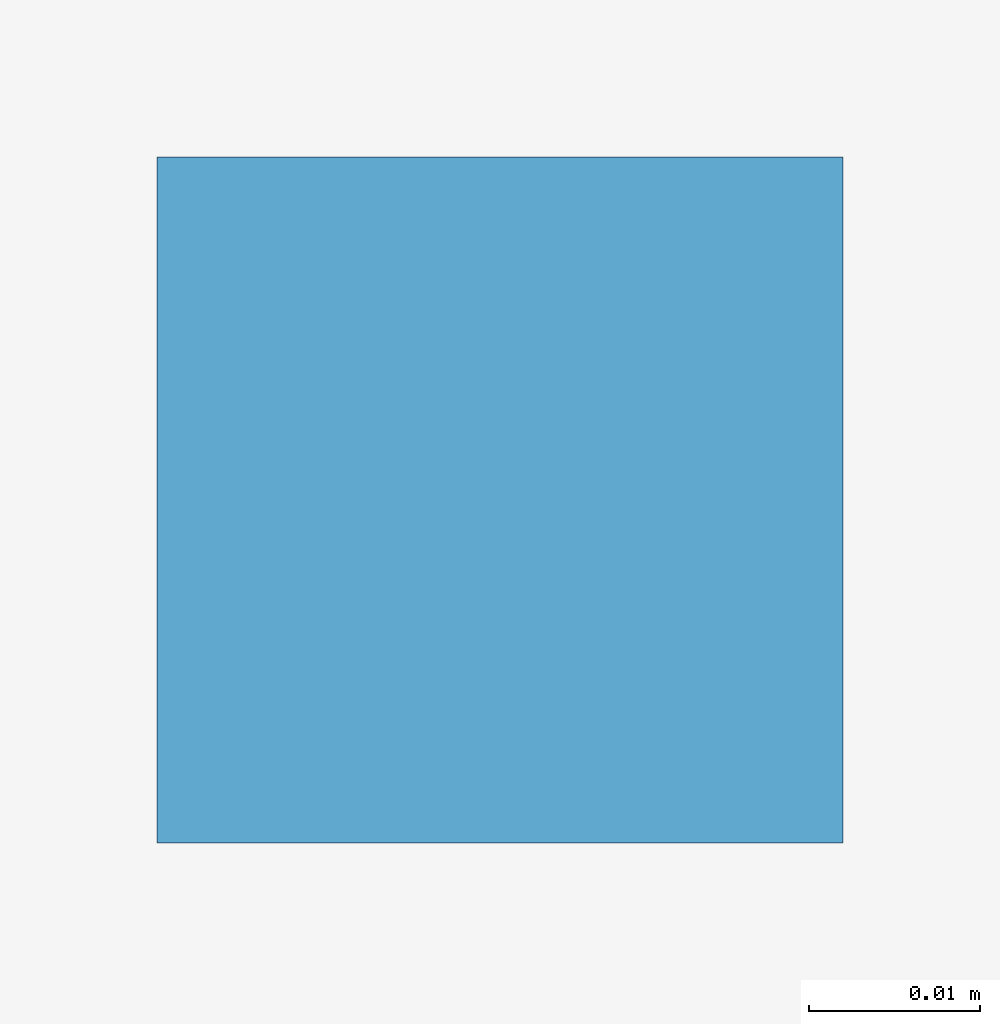
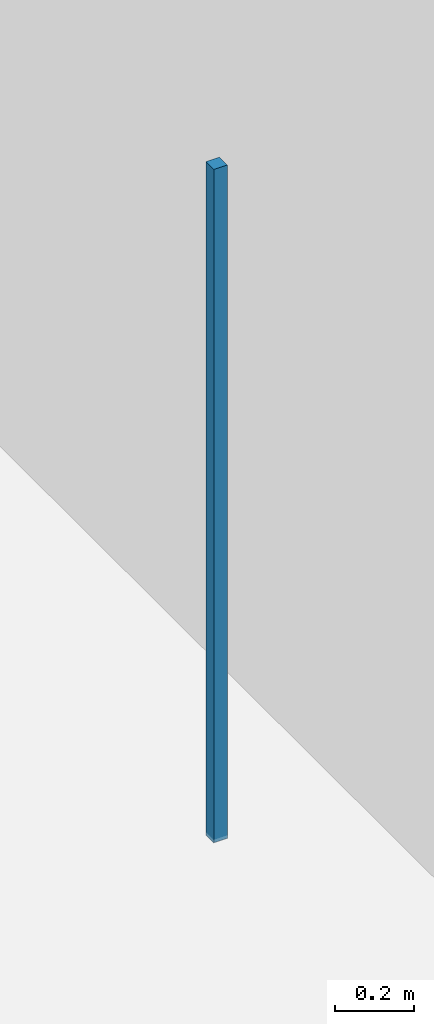
# One storey, part 91 of 167: 1 discrete accessory.
"""IFC4 building model written with IfcOpenShell, lengths in metres."""

import ifcopenshell
import ifcopenshell.guid

model = None  # the IFC model being written
_history = None  # IfcOwnerHistory: only IFC2X3 demands one
_inside = {}  # id of a spatial element -> (the spatial element, [elements in it])
_under = {}  # id of a project, library or spatial element -> (it, [spatial elements below it])
_declared = {}  # id of a project -> (the project, [libraries it declares])
_typed = {}  # id of a type object -> (the type object, [elements of that type])
_made_of = {}  # id of a material, layer set ... -> (it, [elements and type objects made of it])


def new_model(schema):
    """Start an empty IFC model of exactly this schema.

    Asked for "IFC4X3", IfcOpenShell would pick the latest addendum, in which some entities
    have other attributes; the version numbers below select the first issue.
    IFC2X3 requires an IfcOwnerHistory on every rooted entity: one is made here for all.
    """
    global model, _history
    if schema == "IFC4X3":
        model = ifcopenshell.file(schema_version=(4, 3, 0, 0))
    else:
        model = ifcopenshell.file(schema=schema)
    _inside.clear()
    _under.clear()
    _declared.clear()
    _typed.clear()
    _made_of.clear()
    _history = None
    if model.schema == "IFC2X3":
        org = make("IfcOrganization", Name="unknown")
        user = make(
            "IfcPersonAndOrganization",
            ThePerson=make("IfcPerson", FamilyName="unknown"),
            TheOrganization=org,
        )
        app = make(
            "IfcApplication",
            ApplicationDeveloper=org,
            Version="unknown",
            ApplicationFullName="unknown",
            ApplicationIdentifier="unknown",
        )
        _history = make(
            "IfcOwnerHistory",
            OwningUser=user,
            OwningApplication=app,
            ChangeAction="ADDED",
            CreationDate=0,
        )
    return model


def make(cls, **values):
    """One entity of the class cls with the attributes given. An attribute that is None is left unset."""
    return model.create_entity(
        cls, **{name: value for name, value in values.items() if value is not None}
    )


def rooted(cls, **values):
    """An entity with a GlobalId (a new one), such as an element, a storey or a relation."""
    return make(cls, GlobalId=ifcopenshell.guid.new(), OwnerHistory=_history, **values)


def si_unit(unit_type, name, prefix=None):
    """IfcSIUnit, for example si_unit("LENGTHUNIT", "METRE", prefix="MILLI")."""
    return make("IfcSIUnit", UnitType=unit_type, Prefix=prefix, Name=name)


def assignment(units):
    """IfcUnitAssignment: the units of a project."""
    return None if units is None else make("IfcUnitAssignment", Units=units)


def point(xyz):
    """IfcCartesianPoint."""
    return None if xyz is None else make("IfcCartesianPoint", Coordinates=xyz)


def direction(xyz):
    """IfcDirection."""
    return None if xyz is None else make("IfcDirection", DirectionRatios=xyz)


def frame(location, z_axis=None, x_axis=None):
    """IfcAxis2Placement3D, a coordinate frame: its origin and axes. An axis left out is left unset."""
    return make(
        "IfcAxis2Placement3D",
        Location=point(location),
        Axis=direction(z_axis),
        RefDirection=direction(x_axis),
    )


def frame_2d(location, x_axis=None):
    """IfcAxis2Placement2D, a coordinate frame in the plane: its origin and x axis."""
    return make(
        "IfcAxis2Placement2D", Location=point(location), RefDirection=direction(x_axis)
    )


def origin():
    """The frame at (0, 0, 0) with its axes left unset."""
    return frame((0.0, 0.0, 0.0))


def origin_2d():
    """The frame at (0, 0) in the plane with its x axis left unset."""
    return frame_2d((0.0, 0.0))


def place(relative_to, where):
    """IfcLocalPlacement: puts the frame where relative to a parent placement (None: the world)."""
    return make(
        "IfcLocalPlacement", PlacementRelTo=relative_to, RelativePlacement=where
    )


def context(
    kind, dimensions, precision=None, world=None, true_north=None, identifier=None
):
    """IfcGeometricRepresentationContext, for example the 3D "Model" context."""
    return make(
        "IfcGeometricRepresentationContext",
        ContextIdentifier=identifier,
        ContextType=kind,
        CoordinateSpaceDimension=dimensions,
        Precision=precision,
        WorldCoordinateSystem=world,
        TrueNorth=true_north,
    )


def subcontext(parent, identifier, kind, view, scale=None):
    """IfcGeometricRepresentationSubContext, for example "Body" below "Model"."""
    return make(
        "IfcGeometricRepresentationSubContext",
        ContextIdentifier=identifier,
        ContextType=kind,
        ParentContext=parent,
        TargetScale=scale,
        TargetView=view,
    )


def project(units=None, contexts=None):
    """IfcProject with its units and contexts."""
    return rooted(
        "IfcProject",
        Name="project",
        RepresentationContexts=contexts,
        UnitsInContext=assignment(units),
    )


def spatial(cls, under=None, at=None, **own):
    """A site, building, storey or space (cls), placed at a placement, below another one or the project."""
    s = rooted(cls, ObjectPlacement=at, **own)
    if under is not None:
        _under.setdefault(under.id(), (under, []))[1].append(s)
    return s


def profile(cls, at=None, kind="AREA", **sizes):
    """A parametric profile (cls). Its sizes go by their IFC names, for example OverallWidth=200.0."""
    return make(cls, ProfileType=kind, Position=at, **sizes)


def rectangle(**sizes):
    """IfcRectangleProfileDef."""
    return profile("IfcRectangleProfileDef", **sizes)


def extrude(swept, where, along, depth):
    """IfcExtrudedAreaSolid: the profile swept, set in the frame where, extruded along a direction by depth."""
    return make(
        "IfcExtrudedAreaSolid",
        SweptArea=swept,
        Position=where,
        ExtrudedDirection=direction(along),
        Depth=depth,
    )


def shape(context_of_items, identifier, shape_type, items):
    """IfcShapeRepresentation: the items that make up one representation, for example the "Body"."""
    return make(
        "IfcShapeRepresentation",
        ContextOfItems=context_of_items,
        RepresentationIdentifier=identifier,
        RepresentationType=shape_type,
        Items=items,
    )


def material(Name=None, Category=None):
    """IfcMaterial."""
    return make("IfcMaterial", Name=Name, Category=Category)


def made_of(thing, what):
    """Note that an element or type object is made of a material, layer set ...; save() writes the relation."""
    if what is not None:
        _made_of.setdefault(what.id(), (what, []))[1].append(thing)
    return thing


def type_object(cls, material=None, **own):
    """A type object (cls), such as IfcWallType, which elements share."""
    return made_of(rooted(cls, **own), material)


def element(
    cls,
    number,
    at=None,
    inside=None,
    cuts=None,
    type_object=None,
    material=None,
    context=None,
    identifier="Body",
    shape_type=None,
    held_by="IfcProductDefinitionShape",
    body=None,
    shapes=None,
    **own,
):
    """One element of the class cls, such as IfcWall. Its Tag is "e" and its number.

    at: its placement. inside: the storey or other place that contains it. cuts: it is an
    opening in that element (IfcRelVoidsElement). A single representation is given by context,
    identifier, shape_type and body (its items); several are given by shapes. held_by: the class
    of the entity that holds the representations. save() writes the other relations.
    """
    e = rooted(cls, Tag="e%d" % number, ObjectPlacement=at, **own)
    if body is not None:
        shapes = [shape(context, identifier, shape_type, body)]
    if shapes is not None:
        e.Representation = make(held_by, Representations=shapes)
    if inside is not None:
        _inside.setdefault(inside.id(), (inside, []))[1].append(e)
    if cuts is not None:
        rooted(
            "IfcRelVoidsElement", RelatingBuildingElement=cuts, RelatedOpeningElement=e
        )
    if type_object is not None:
        _typed.setdefault(type_object.id(), (type_object, []))[1].append(e)
    return made_of(e, material)


def aggregate(whole, parts):
    """IfcRelAggregates: a whole, such as a stair, and the parts it consists of."""
    return rooted("IfcRelAggregates", RelatingObject=whole, RelatedObjects=parts)


def save(model, path):
    """Write the relations noted so far, then the file.

    IfcRelAggregates (storeys below a building ...), IfcRelContainedInSpatialStructure (elements
    in a storey), IfcRelDefinesByType, IfcRelAssociatesMaterial and IfcRelDeclares: one each for
    every whole, place, type object, material and project.
    """
    for whole, parts in _under.values():
        aggregate(whole, parts)
    for where, things in _inside.values():
        rooted(
            "IfcRelContainedInSpatialStructure",
            RelatedElements=things,
            RelatingStructure=where,
        )
    for kind, things in _typed.values():
        rooted("IfcRelDefinesByType", RelatedObjects=things, RelatingType=kind)
    for what, things in _made_of.values():
        rooted("IfcRelAssociatesMaterial", RelatedObjects=things, RelatingMaterial=what)
    for by, libraries in _declared.values():
        rooted("IfcRelDeclares", RelatingContext=by, RelatedDefinitions=libraries)
    model.write(path)


model = new_model("IFC4")

# Units and contexts
model_context = context("Model", 3, precision=1e-05, world=origin(), true_north=direction((0.0, 1.0)))
body_context = subcontext(model_context, "Body", "Model", "MODEL_VIEW")
ifc_project = project(units=[si_unit("LENGTHUNIT", "METRE"), si_unit("AREAUNIT", "SQUARE_METRE"), si_unit("VOLUMEUNIT", "CUBIC_METRE"), si_unit("PLANEANGLEUNIT", "RADIAN"), si_unit("MASSUNIT", "GRAM", prefix="KILO")], contexts=[model_context])

# Site, building, storey
site_placement = place(None, origin())
site = spatial("IfcSite", under=ifc_project, at=site_placement, CompositionType="ELEMENT")
building_placement = place(site_placement, origin())
building = spatial("IfcBuilding", under=site, at=building_placement, Name="Varncliffe General Hospital", CompositionType="ELEMENT")
storey_placement = place(building_placement, origin())
storey = spatial("IfcBuildingStorey", under=building, at=storey_placement, Name="L00", CompositionType="ELEMENT", Elevation=0.0)

# Discrete accessory
ifc_material = material(Name="Powder-coated hospital steel guardrail and handrail", Category="steel")
discrete_accessory_type = type_object("IfcDiscreteAccessoryType", Name="Suspended Ceiling Hanger Bracket CH01", PredefinedType="BRACKET", material=ifc_material)
discrete_accessory_placement = place(storey_placement, frame((61.842529296875, 49.199951171875, 3.18994140625), z_axis=(0.0, 0.0, 1.0), x_axis=(1.0, 0.0, 0.0)))
element("IfcDiscreteAccessory", 1, at=discrete_accessory_placement, inside=storey, type_object=discrete_accessory_type, Name="L00 Suspended Ceiling Hanger 16", PredefinedType="BRACKET", context=body_context, shape_type="SweptSolid", body=[
    extrude(rectangle(XDim=0.0400390625, YDim=0.0400390625, at=origin_2d()), origin(), (0.0, 0.0, 1.0), 2.090087890625),
])

save(model, "model.ifc")
